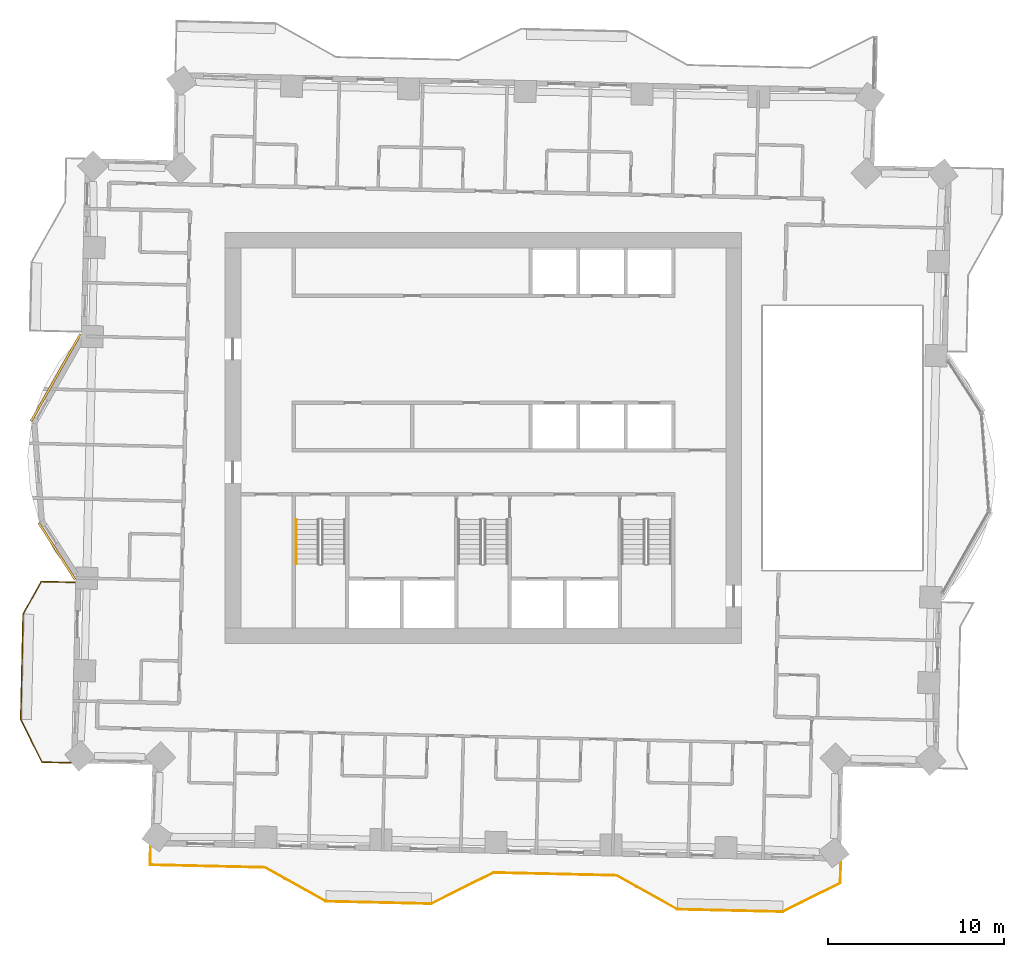
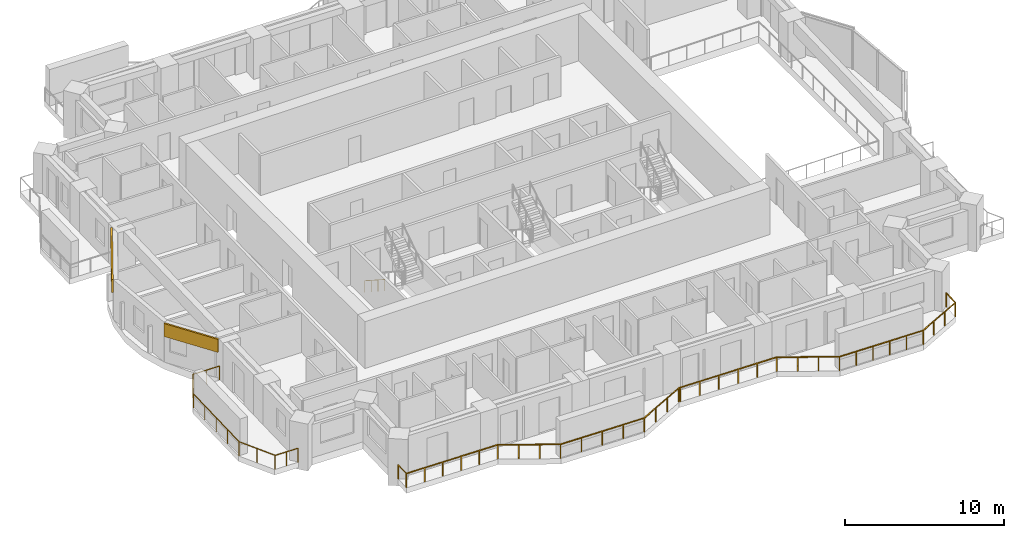
# One storey, part 11 of 14: 3 railings, 2 coverings.
"""IFC4 building model written with IfcOpenShell, lengths in metres."""

from ifc_helpers import new_model, si_unit, direction, frame, frame_2d, origin, origin_2d, place, context, subcontext, project, spatial, rectangle, circle, extrude, material, layer, layer_set, type_object, element, save


model = new_model("IFC4")

# Units and contexts
model_context = context("Model", 3, precision=1e-05, world=origin(), true_north=direction((0.0, 1.0)))
body_context = subcontext(model_context, "Body", "Model", "MODEL_VIEW")
ifc_project = project(units=[si_unit("LENGTHUNIT", "METRE"), si_unit("AREAUNIT", "SQUARE_METRE"), si_unit("VOLUMEUNIT", "CUBIC_METRE"), si_unit("PLANEANGLEUNIT", "RADIAN"), si_unit("MASSUNIT", "GRAM", prefix="KILO")], contexts=[model_context])

# Site, building, storey
site_placement = place(None, origin())
site = spatial("IfcSite", under=ifc_project, at=site_placement, CompositionType="ELEMENT")
building_placement = place(site_placement, origin())
building = spatial("IfcBuilding", under=site, at=building_placement, Name="Mangrove Gate Tower", CompositionType="ELEMENT")
storey_placement = place(building_placement, frame((0.0, 0.0, 152.699951171875)))
storey = spatial("IfcBuildingStorey", under=building, at=storey_placement, Name="L38", CompositionType="ELEMENT", Elevation=152.699951171875)

# Railings
ifc_material_1 = material(Name="Stainless steel grade 316 with laminated glass infill", Category="steel")
railing_type_1 = type_object("IfcRailingType", Name="Balcony guard 1100", PredefinedType="GUARDRAIL", material=ifc_material_1)
railing_1_placement = place(storey_placement, frame((-23.235107421875, -8.212890625, 0.0)))
element("IfcRailing", 1, at=railing_1_placement, inside=storey, type_object=railing_type_1, Name="GUARD L38 W2", PredefinedType="GUARDRAIL", context=body_context, shape_type="SweptSolid", body=[
    extrude(rectangle(XDim=0.048095703125, YDim=0.048095703125, at=origin_2d()), frame((0.0, 0.0, 1.076171875), z_axis=(-0.999749396593, 0.022386246031, 0.0), x_axis=(-0.022386246031, -0.999749396593, 0.0)), (0.0, 0.0, 1.0), 1.91943359375),
    extrude(rectangle(XDim=0.048095703125, YDim=0.048095703125, at=origin_2d()), frame((-1.9189453125, 0.04296875, 1.076171875), z_axis=(-0.487098711433, -0.873346921515, 0.0), x_axis=(0.873346921515, -0.487098711433, 0.0)), (0.0, 0.0, 1.0), 2.12060546875),
    extrude(rectangle(XDim=0.048095703125, YDim=0.048095703125, at=origin_2d()), frame((-2.951904296875, -1.80908203125, 1.076171875), z_axis=(-0.022665943652, -0.999743094499, 0.0), x_axis=(0.999743094499, -0.022665943652, 0.0)), (0.0, 0.0, 1.0), 5.99951171875),
    extrude(rectangle(XDim=0.048095703125, YDim=0.048095703125, at=origin_2d()), frame((-3.087890625, -7.80712890625, 1.076171875), z_axis=(0.447249569365, -0.894409203163, 0.0), x_axis=(0.894409203163, 0.447249569365, 0.0)), (0.0, 0.0, 1.0), 2.714599609375),
    extrude(rectangle(XDim=0.048095703125, YDim=0.048095703125, at=origin_2d()), frame((-1.873779296875, -10.235107421875, 1.076171875), z_axis=(0.999730737438, -0.023204581913, 0.0), x_axis=(0.023204581913, 0.999730737438, 0.0)), (0.0, 0.0, 1.0), 1.641357421875),
    extrude(rectangle(XDim=0.0419921875, YDim=0.0419921875, at=origin_2d()), origin(), (0.0, 0.0, 1.0), 1.052001953125),
    extrude(rectangle(XDim=0.0419921875, YDim=0.0419921875, at=origin_2d()), frame((-0.95947265625, 0.021484375, 0.0)), (0.0, 0.0, 1.0), 1.052001953125),
    extrude(rectangle(XDim=0.0419921875, YDim=0.0419921875, at=origin_2d()), frame((-1.9189453125, 0.04296875, 0.0)), (0.0, 0.0, 1.0), 1.052001953125),
    extrude(rectangle(XDim=0.0419921875, YDim=0.0419921875, at=origin_2d()), frame((-2.435546875, -0.883056640625, 0.0)), (0.0, 0.0, 1.0), 1.052001953125),
    extrude(rectangle(XDim=0.0419921875, YDim=0.0419921875, at=origin_2d()), frame((-2.951904296875, -1.80908203125, 0.0)), (0.0, 0.0, 1.0), 1.052001953125),
    extrude(rectangle(XDim=0.0419921875, YDim=0.0419921875, at=origin_2d()), frame((-2.98583984375, -3.30859375, 0.0)), (0.0, 0.0, 1.0), 1.052001953125),
    extrude(rectangle(XDim=0.0419921875, YDim=0.0419921875, at=origin_2d()), frame((-3.02001953125, -4.80810546875, 0.0)), (0.0, 0.0, 1.0), 1.052001953125),
    extrude(rectangle(XDim=0.0419921875, YDim=0.0419921875, at=origin_2d()), frame((-3.053955078125, -6.3076171875, 0.0)), (0.0, 0.0, 1.0), 1.052001953125),
    extrude(rectangle(XDim=0.0419921875, YDim=0.0419921875, at=origin_2d()), frame((-3.087890625, -7.80712890625, 0.0)), (0.0, 0.0, 1.0), 1.052001953125),
    extrude(rectangle(XDim=0.0419921875, YDim=0.0419921875, at=origin_2d()), frame((-2.48095703125, -9.02099609375, 0.0)), (0.0, 0.0, 1.0), 1.052001953125),
    extrude(rectangle(XDim=0.0419921875, YDim=0.0419921875, at=origin_2d()), frame((-1.873779296875, -10.235107421875, 0.0)), (0.0, 0.0, 1.0), 1.052001953125),
    extrude(rectangle(XDim=0.0419921875, YDim=0.0419921875, at=origin_2d()), frame((-1.05322265625, -10.254150390625, 0.0)), (0.0, 0.0, 1.0), 1.052001953125),
    extrude(rectangle(XDim=0.0419921875, YDim=0.0419921875, at=origin_2d()), frame((-0.23291015625, -10.273193359375, 0.0)), (0.0, 0.0, 1.0), 1.052001953125),
])
railing_2_placement = place(storey_placement, frame((-18.93505859375, -23.22998046875, 0.0)))
element("IfcRailing", 2, at=railing_2_placement, inside=storey, type_object=railing_type_1, Name="GUARD L38 S1", PredefinedType="GUARDRAIL", context=body_context, shape_type="SweptSolid", body=[
    extrude(rectangle(XDim=0.048095703125, YDim=0.048095703125, at=origin_2d()), frame((0.0, 0.0, 1.076171875), z_axis=(-0.022585293253, -0.999744919731, 0.0), x_axis=(0.999744919731, -0.022585293253, 0.0)), (0.0, 0.0, 1.0), 1.059326171875),
    extrude(rectangle(XDim=0.048095703125, YDim=0.048095703125, at=origin_2d()), frame((-0.02392578125, -1.05908203125, 1.076171875), z_axis=(0.999740677876, -0.022772285792, 0.0), x_axis=(0.022772285792, 0.999740677876, 0.0)), (0.0, 0.0, 1.0), 6.539794921875),
    extrude(rectangle(XDim=0.048095703125, YDim=0.048095703125, at=origin_2d()), frame((6.51416015625, -1.2080078125, 1.076171875), z_axis=(0.873315448515, -0.487155136876, 0.0), x_axis=(0.487155136876, 0.873315448515, 0.0)), (0.0, 0.0, 1.0), 3.959716796875),
    extrude(rectangle(XDim=0.048095703125, YDim=0.048095703125, at=origin_2d()), frame((9.97216796875, -3.136962890625, 1.076171875), z_axis=(0.999743073592, -0.022666865795, 0.0), x_axis=(0.022666865795, 0.999743073592, 0.0)), (0.0, 0.0, 1.0), 5.999267578125),
    extrude(rectangle(XDim=0.048095703125, YDim=0.048095703125, at=origin_2d()), frame((15.969970703125, -3.27294921875, 1.076171875), z_axis=(0.894476522376, 0.447114919141, 0.0), x_axis=(-0.447114919141, 0.894476522376, 0.0)), (0.0, 0.0, 1.0), 3.958740234375),
    extrude(rectangle(XDim=0.048095703125, YDim=0.048095703125, at=origin_2d()), frame((19.510986328125, -1.5029296875, 1.076171875), z_axis=(0.999759159015, -0.021945932759, 0.0), x_axis=(0.021945932759, 0.999759159015, 0.0)), (0.0, 0.0, 1.0), 0.10009765625),
    extrude(rectangle(XDim=0.048095703125, YDim=0.048095703125, at=origin_2d()), frame((19.611083984375, -1.505126953125, 1.076171875), z_axis=(0.999741140915, -0.022751948524, 0.0), x_axis=(0.022751948524, 0.999741140915, 0.0)), (0.0, 0.0, 1.0), 6.899658203125),
    extrude(rectangle(XDim=0.048095703125, YDim=0.048095703125, at=origin_2d()), frame((26.509033203125, -1.662109375, 1.076171875), z_axis=(0.873361856081, -0.487071933437, 0.0), x_axis=(0.487071933437, 0.873361856081, 0.0)), (0.0, 0.0, 1.0), 3.958251953125),
    extrude(rectangle(XDim=0.048095703125, YDim=0.048095703125, at=origin_2d()), frame((29.966064453125, -3.590087890625, 1.076171875), z_axis=(0.999739477659, -0.022824916448, 0.0), x_axis=(0.022824916448, 0.999739477659, 0.0)), (0.0, 0.0, 1.0), 6.00048828125),
    extrude(rectangle(XDim=0.048095703125, YDim=0.048095703125, at=origin_2d()), frame((35.965087890625, -3.72705078125, 1.076171875), z_axis=(0.894440513617, 0.447186949274, 0.0), x_axis=(-0.447186949274, 0.894440513617, 0.0)), (0.0, 0.0, 1.0), 3.6650390625),
    extrude(rectangle(XDim=0.048095703125, YDim=0.048095703125, at=origin_2d()), frame((39.2431640625, -2.088134765625, 1.076171875), z_axis=(0.022429599579, 0.999748424886, 0.0), x_axis=(-0.999748424886, 0.022429599579, 0.0)), (0.0, 0.0, 1.0), 1.197265625),
    extrude(rectangle(XDim=0.0419921875, YDim=0.0419921875, at=origin_2d()), origin(), (0.0, 0.0, 1.0), 1.052001953125),
    extrude(rectangle(XDim=0.0419921875, YDim=0.0419921875, at=origin_2d()), frame((-0.02392578125, -1.05908203125, 0.0)), (0.0, 0.0, 1.0), 1.052001953125),
    extrude(rectangle(XDim=0.0419921875, YDim=0.0419921875, at=origin_2d()), frame((1.28369140625, -1.0888671875, 0.0)), (0.0, 0.0, 1.0), 1.052001953125),
    extrude(rectangle(XDim=0.0419921875, YDim=0.0419921875, at=origin_2d()), frame((2.59130859375, -1.11865234375, 0.0)), (0.0, 0.0, 1.0), 1.052001953125),
    extrude(rectangle(XDim=0.0419921875, YDim=0.0419921875, at=origin_2d()), frame((3.89892578125, -1.1484375, 0.0)), (0.0, 0.0, 1.0), 1.052001953125),
    extrude(rectangle(XDim=0.0419921875, YDim=0.0419921875, at=origin_2d()), frame((5.20654296875, -1.17822265625, 0.0)), (0.0, 0.0, 1.0), 1.052001953125),
    extrude(rectangle(XDim=0.0419921875, YDim=0.0419921875, at=origin_2d()), frame((6.51416015625, -1.2080078125, 0.0)), (0.0, 0.0, 1.0), 1.052001953125),
    extrude(rectangle(XDim=0.0419921875, YDim=0.0419921875, at=origin_2d()), frame((7.666748046875, -1.85107421875, 0.0)), (0.0, 0.0, 1.0), 1.052001953125),
    extrude(rectangle(XDim=0.0419921875, YDim=0.0419921875, at=origin_2d()), frame((8.819580078125, -2.493896484375, 0.0)), (0.0, 0.0, 1.0), 1.052001953125),
    extrude(rectangle(XDim=0.0419921875, YDim=0.0419921875, at=origin_2d()), frame((9.97216796875, -3.136962890625, 0.0)), (0.0, 0.0, 1.0), 1.052001953125),
    extrude(rectangle(XDim=0.0419921875, YDim=0.0419921875, at=origin_2d()), frame((11.4716796875, -3.1708984375, 0.0)), (0.0, 0.0, 1.0), 1.052001953125),
    extrude(rectangle(XDim=0.0419921875, YDim=0.0419921875, at=origin_2d()), frame((12.97119140625, -3.205078125, 0.0)), (0.0, 0.0, 1.0), 1.052001953125),
    extrude(rectangle(XDim=0.0419921875, YDim=0.0419921875, at=origin_2d()), frame((14.470458984375, -3.239013671875, 0.0)), (0.0, 0.0, 1.0), 1.052001953125),
    extrude(rectangle(XDim=0.0419921875, YDim=0.0419921875, at=origin_2d()), frame((15.969970703125, -3.27294921875, 0.0)), (0.0, 0.0, 1.0), 1.052001953125),
    extrude(rectangle(XDim=0.0419921875, YDim=0.0419921875, at=origin_2d()), frame((17.150390625, -2.682861328125, 0.0)), (0.0, 0.0, 1.0), 1.052001953125),
    extrude(rectangle(XDim=0.0419921875, YDim=0.0419921875, at=origin_2d()), frame((18.33056640625, -2.093017578125, 0.0)), (0.0, 0.0, 1.0), 1.052001953125),
    extrude(rectangle(XDim=0.0419921875, YDim=0.0419921875, at=origin_2d()), frame((19.510986328125, -1.5029296875, 0.0)), (0.0, 0.0, 1.0), 1.052001953125),
    extrude(rectangle(XDim=0.0419921875, YDim=0.0419921875, at=origin_2d()), frame((19.611083984375, -1.505126953125, 0.0)), (0.0, 0.0, 1.0), 1.052001953125),
    extrude(rectangle(XDim=0.0419921875, YDim=0.0419921875, at=origin_2d()), frame((20.99072265625, -1.53662109375, 0.0)), (0.0, 0.0, 1.0), 1.052001953125),
    extrude(rectangle(XDim=0.0419921875, YDim=0.0419921875, at=origin_2d()), frame((22.370361328125, -1.56787109375, 0.0)), (0.0, 0.0, 1.0), 1.052001953125),
    extrude(rectangle(XDim=0.0419921875, YDim=0.0419921875, at=origin_2d()), frame((23.749755859375, -1.599365234375, 0.0)), (0.0, 0.0, 1.0), 1.052001953125),
    extrude(rectangle(XDim=0.0419921875, YDim=0.0419921875, at=origin_2d()), frame((25.12939453125, -1.630615234375, 0.0)), (0.0, 0.0, 1.0), 1.052001953125),
    extrude(rectangle(XDim=0.0419921875, YDim=0.0419921875, at=origin_2d()), frame((26.509033203125, -1.662109375, 0.0)), (0.0, 0.0, 1.0), 1.052001953125),
    extrude(rectangle(XDim=0.0419921875, YDim=0.0419921875, at=origin_2d()), frame((27.661376953125, -2.3046875, 0.0)), (0.0, 0.0, 1.0), 1.052001953125),
    extrude(rectangle(XDim=0.0419921875, YDim=0.0419921875, at=origin_2d()), frame((28.813720703125, -2.947509765625, 0.0)), (0.0, 0.0, 1.0), 1.052001953125),
    extrude(rectangle(XDim=0.0419921875, YDim=0.0419921875, at=origin_2d()), frame((29.966064453125, -3.590087890625, 0.0)), (0.0, 0.0, 1.0), 1.052001953125),
    extrude(rectangle(XDim=0.0419921875, YDim=0.0419921875, at=origin_2d()), frame((31.165771484375, -3.617431640625, 0.0)), (0.0, 0.0, 1.0), 1.052001953125),
    extrude(rectangle(XDim=0.0419921875, YDim=0.0419921875, at=origin_2d()), frame((32.36572265625, -3.644775390625, 0.0)), (0.0, 0.0, 1.0), 1.052001953125),
    extrude(rectangle(XDim=0.0419921875, YDim=0.0419921875, at=origin_2d()), frame((33.5654296875, -3.67236328125, 0.0)), (0.0, 0.0, 1.0), 1.052001953125),
    extrude(rectangle(XDim=0.0419921875, YDim=0.0419921875, at=origin_2d()), frame((34.765380859375, -3.69970703125, 0.0)), (0.0, 0.0, 1.0), 1.052001953125),
    extrude(rectangle(XDim=0.0419921875, YDim=0.0419921875, at=origin_2d()), frame((35.965087890625, -3.72705078125, 0.0)), (0.0, 0.0, 1.0), 1.052001953125),
    extrude(rectangle(XDim=0.0419921875, YDim=0.0419921875, at=origin_2d()), frame((37.057861328125, -3.1806640625, 0.0)), (0.0, 0.0, 1.0), 1.052001953125),
    extrude(rectangle(XDim=0.0419921875, YDim=0.0419921875, at=origin_2d()), frame((38.150390625, -2.634521484375, 0.0)), (0.0, 0.0, 1.0), 1.052001953125),
    extrude(rectangle(XDim=0.0419921875, YDim=0.0419921875, at=origin_2d()), frame((39.2431640625, -2.088134765625, 0.0)), (0.0, 0.0, 1.0), 1.052001953125),
    extrude(rectangle(XDim=0.0419921875, YDim=0.0419921875, at=origin_2d()), frame((39.27001953125, -0.89111328125, 0.0)), (0.0, 0.0, 1.0), 1.052001953125),
])
ifc_material_2 = material(Name="Stainless steel 316", Category="steel")
railing_type_2 = type_object("IfcRailingType", Name="Core stair handrail 900", PredefinedType="HANDRAIL", material=ifc_material_2)
railing_3_placement = place(storey_placement, frame((-10.64990234375, -4.64990234375, 0.179931640625)))
element("IfcRailing", 3, at=railing_3_placement, inside=storey, type_object=railing_type_2, Name="L38 ST1 stair handrail 1", PredefinedType="HANDRAIL", context=body_context, shape_type="SweptSolid", body=[
    extrude(circle(Radius=0.02392578125, at=origin_2d()), frame((0.0, 0.0, 0.8759765625), z_axis=(0.0, -0.841162588446, 0.540782303519), x_axis=(1.0, 0.0, 0.0)), (0.0, 0.0, 1.0), 2.995849609375),
    extrude(circle(Radius=0.02099609375, at=origin_2d()), origin(), (0.0, 0.0, 1.0), 0.851806640625),
    extrude(circle(Radius=0.02099609375, at=origin_2d()), frame((0.0, -0.840087890625, 0.5400390625)), (0.0, 0.0, 1.0), 0.851806640625),
    extrude(circle(Radius=0.02099609375, at=origin_2d()), frame((0.0, -1.679931640625, 1.080078125)), (0.0, 0.0, 1.0), 0.851806640625),
    extrude(circle(Radius=0.02099609375, at=origin_2d()), frame((0.0, -2.52001953125, 1.6201171875)), (0.0, 0.0, 1.0), 0.851806640625),
])

# Coverings
ifc_material_3 = material(Name="Limestone", Category="masonry")
ifc_layer_1 = layer(ifc_material_3, 0.0400390625, Name="Limestone cladding")
ifc_material_4 = material(Name="Stainless steel anchors and cavity", Category="steel")
ifc_layer_2 = layer(ifc_material_4, 0.080078125, Name="Fixing cavity")
ifc_layer_set = layer_set([ifc_layer_1, ifc_layer_2], Name="Joint fascia cladding 120")
covering_type = type_object("IfcCoveringType", Name="Joint fascia cladding 120", PredefinedType="CLADDING", material=ifc_layer_set)
covering_1_placement = place(storey_placement, frame((-22.925048828125, 5.908935546875, 2.050048828125), z_axis=(0.0, 0.0, 1.0), x_axis=(-0.49249427368, -0.870315684331, 0.0)))
element("IfcCovering", 4, at=covering_1_placement, inside=storey, type_object=covering_type, Name="STONE FASCIA L38 W9.L1", PredefinedType="CLADDING", context=body_context, shape_type="SweptSolid", body=[
    extrude(rectangle(XDim=5.705810546875, YDim=0.1201171875, at=frame_2d((2.85302734375, 0.0))), origin(), (0.0, 0.0, 1.0), 1.0),
])
covering_2_placement = place(storey_placement, frame((-25.300048828125, -4.830078125, 2.050048828125), z_axis=(0.0, 0.0, 1.0), x_axis=(0.540486138148, -0.841352919095, 0.0)))
element("IfcCovering", 5, at=covering_2_placement, inside=storey, type_object=covering_type, Name="STONE FASCIA L38 W9.L2", PredefinedType="CLADDING", context=body_context, shape_type="SweptSolid", body=[
    extrude(rectangle(XDim=3.818603515625, YDim=0.1201171875, at=frame_2d((1.9091796875, 0.0))), origin(), (0.0, 0.0, 1.0), 1.0),
])

save(model, "model.ifc")
